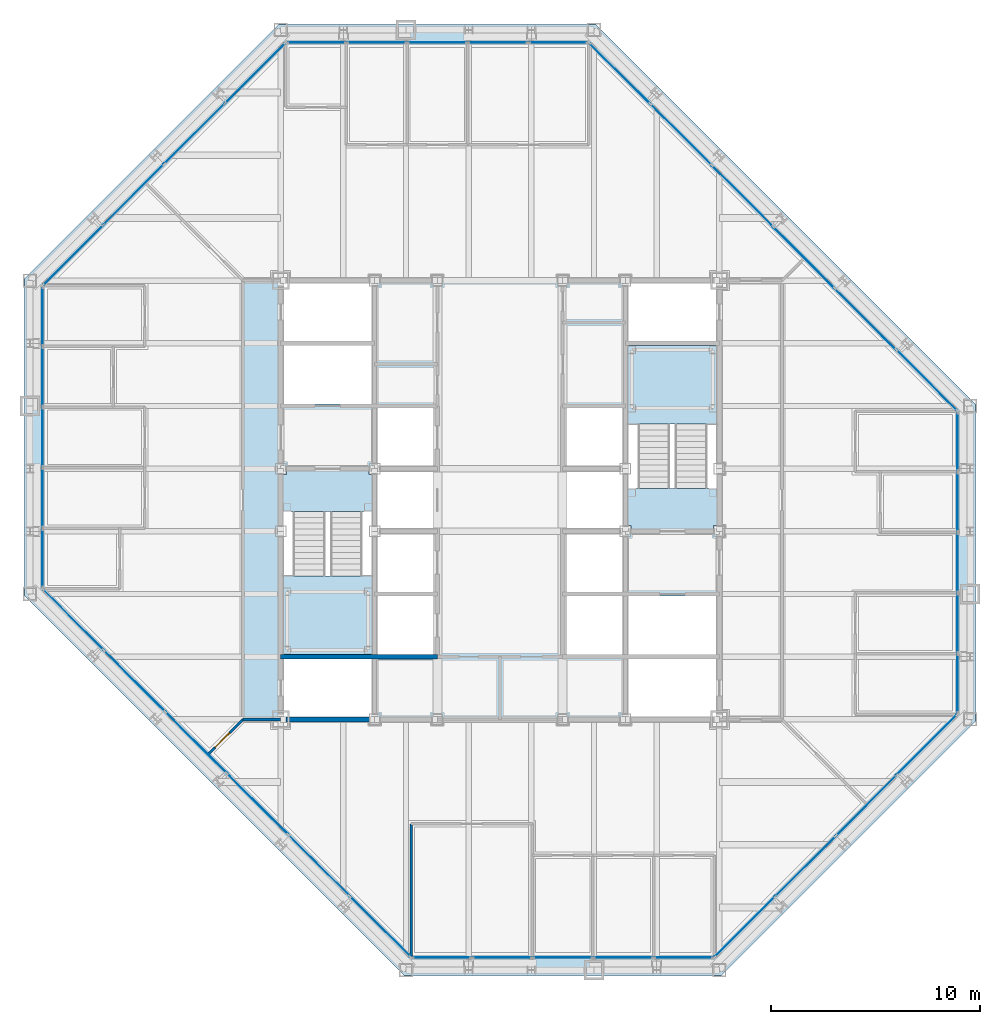
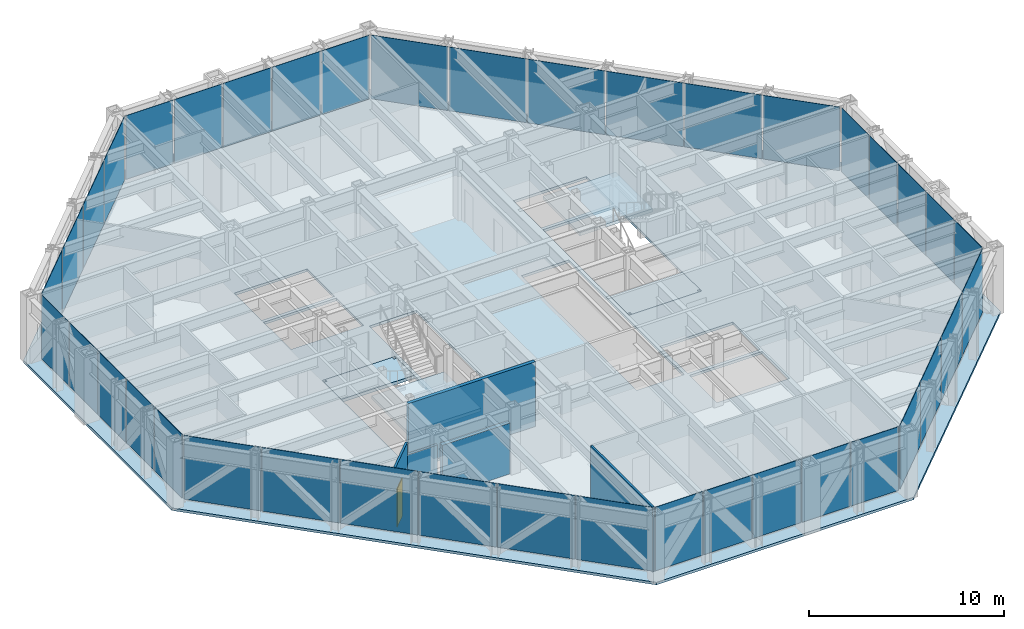
# One storey, part 10 of 16: 40 plates, 5 slabs, 5 walls, 1 door, 1 opening, 10 elements without a shape of their own.
"""IFC4 building model written with IfcOpenShell, lengths in metres."""

from ifc_helpers import new_model, si_unit, direction, frame, frame_2d, origin, origin_2d, place, context, subcontext, project, spatial, polyline, rectangle, outline, extrude, material, layer, layer_set, type_object, element, fill, aggregate, save


model = new_model("IFC4")

# Units and contexts
model_context = context("Model", 3, precision=1e-05, world=origin(), true_north=direction((0.0, 1.0)))
body_context = subcontext(model_context, "Body", "Model", "MODEL_VIEW")
ifc_project = project(units=[si_unit("LENGTHUNIT", "METRE"), si_unit("AREAUNIT", "SQUARE_METRE"), si_unit("VOLUMEUNIT", "CUBIC_METRE"), si_unit("PLANEANGLEUNIT", "RADIAN"), si_unit("MASSUNIT", "GRAM", prefix="KILO")], contexts=[model_context])

# Site, building, storey
site_placement = place(None, origin())
site = spatial("IfcSite", under=ifc_project, at=site_placement, CompositionType="ELEMENT")
building_placement = place(site_placement, origin())
building = spatial("IfcBuilding", under=site, at=building_placement, Name="Chuquiago Exchange Tower", CompositionType="ELEMENT")
storey_placement = place(building_placement, frame((0.0, 0.0, 226.5)))
storey = spatial("IfcBuildingStorey", under=building, at=storey_placement, Name="L50", CompositionType="ELEMENT", Elevation=226.5)

# Curtain wall, plate
ifc_material_1 = material(Name="Aluminium curtain wall system", Category="aluminium")
ifc_layer_1 = layer(ifc_material_1, 0.22509765625)
ifc_layer_set_1 = layer_set([ifc_layer_1], Name="CW2 office curtain wall")
curtain_wall_type_1 = type_object("IfcCurtainWallType", Name="CW2 office curtain wall", PredefinedType="NOTDEFINED", material=ifc_layer_set_1)
curtain_wall_1_placement = place(storey_placement, origin())
curtain_wall_1 = element("IfcCurtainWall", 1, at=curtain_wall_1_placement, inside=storey, type_object=curtain_wall_type_1, Name="CW2 curtain wall L50", PredefinedType="NOTDEFINED")
ifc_material_2 = material(Name="Glass, insulating unit", Category="glass")
ifc_layer_2 = layer(ifc_material_2, 0.030029296875)
ifc_layer_set_2 = layer_set([ifc_layer_2], Name="CW2-P panel 30")
plate_type_1 = type_object("IfcPlateType", Name="CW2-P panel 30", PredefinedType="CURTAIN_PANEL", material=ifc_layer_set_2)
plate_1_placement = place(storey_placement, frame((25.5, 0.60009765625, 0.06494140625), z_axis=(0.0, 0.0, 1.0), x_axis=(1.0, 0.0, 0.0)))
plate_1 = element("IfcPlate", 2, at=plate_1_placement, type_object=plate_type_1, Name="CW2 panel 3.1", PredefinedType="CURTAIN_PANEL", context=body_context, shape_type="SweptSolid", body=[
    extrude(rectangle(XDim=2.835693359375, YDim=0.030029296875, at=origin_2d()), origin(), (0.0, 0.0, 1.0), 3.97509765625),
])

curtain_wall_2_placement = place(storey_placement, origin())
curtain_wall_2 = element("IfcCurtainWall", 3, at=curtain_wall_2_placement, inside=storey, type_object=curtain_wall_type_1, Name="CW2 curtain wall L50", PredefinedType="NOTDEFINED")
plate_2_placement = place(storey_placement, frame((44.39990234375, 19.5, 0.06494140625), z_axis=(0.0, 0.0, 1.0), x_axis=(0.0, 1.0, 0.0)))
plate_2 = element("IfcPlate", 4, at=plate_2_placement, type_object=plate_type_1, Name="CW2 panel 3.1", PredefinedType="CURTAIN_PANEL", context=body_context, shape_type="SweptSolid", body=[
    extrude(rectangle(XDim=2.835693359375, YDim=0.030029296875, at=origin_2d()), origin(), (0.0, 0.0, 1.0), 3.97509765625),
])

curtain_wall_3_placement = place(storey_placement, origin())
curtain_wall_3 = element("IfcCurtainWall", 5, at=curtain_wall_3_placement, inside=storey, type_object=curtain_wall_type_1, Name="CW2 curtain wall L50", PredefinedType="NOTDEFINED")
plate_3_placement = place(storey_placement, frame((19.5, 44.39990234375, 0.06494140625), z_axis=(0.0, 0.0, 1.0), x_axis=(-1.0, 0.0, 0.0)))
plate_3 = element("IfcPlate", 6, at=plate_3_placement, type_object=plate_type_1, Name="CW2 panel 3.1", PredefinedType="CURTAIN_PANEL", context=body_context, shape_type="SweptSolid", body=[
    extrude(rectangle(XDim=2.835693359375, YDim=0.030029296875, at=origin_2d()), origin(), (0.0, 0.0, 1.0), 3.97509765625),
])

curtain_wall_4_placement = place(storey_placement, origin())
curtain_wall_4 = element("IfcCurtainWall", 7, at=curtain_wall_4_placement, inside=storey, type_object=curtain_wall_type_1, Name="CW2 curtain wall L50", PredefinedType="NOTDEFINED")
plate_4_placement = place(storey_placement, frame((0.60009765625, 25.5, 0.06494140625), z_axis=(0.0, 0.0, 1.0), x_axis=(0.0, -1.0, 0.0)))
plate_4 = element("IfcPlate", 8, at=plate_4_placement, type_object=plate_type_1, Name="CW2 panel 3.1", PredefinedType="CURTAIN_PANEL", context=body_context, shape_type="SweptSolid", body=[
    extrude(rectangle(XDim=2.835693359375, YDim=0.030029296875, at=origin_2d()), origin(), (0.0, 0.0, 1.0), 3.97509765625),
])

# Plate
ifc_material_3 = material(Name="Insulated spandrel panel, pale anodised aluminium", Category="aluminium")
ifc_layer_3 = layer(ifc_material_3, 0.030029296875)
ifc_layer_set_3 = layer_set([ifc_layer_3], Name="CW2-P spandrel panel 30")
plate_type_2 = type_object("IfcPlateType", Name="CW2-P spandrel panel 30", PredefinedType="CURTAIN_PANEL", material=ifc_layer_set_3)
plate_5_placement = place(storey_placement, frame((19.715087890625, 0.60009765625, 0.06494140625), z_axis=(0.0, 0.0, 1.0), x_axis=(1.0, 0.0, 0.0)))
plate_5 = element("IfcPlate", 9, at=plate_5_placement, type_object=plate_type_2, Name="CW2 panel 1.1", PredefinedType="CURTAIN_PANEL", context=body_context, shape_type="SweptSolid", body=[
    extrude(rectangle(XDim=2.802978515625, YDim=0.030029296875, at=origin_2d()), origin(), (0.0, 0.0, 1.0), 3.97509765625),
])

plate_6_placement = place(storey_placement, frame((22.599365234375, 0.60009765625, 0.06494140625), z_axis=(0.0, 0.0, 1.0), x_axis=(1.0, 0.0, 0.0)))
plate_6 = element("IfcPlate", 10, at=plate_6_placement, type_object=plate_type_2, Name="CW2 panel 2.1", PredefinedType="CURTAIN_PANEL", context=body_context, shape_type="SweptSolid", body=[
    extrude(rectangle(XDim=2.835693359375, YDim=0.030029296875, at=origin_2d()), origin(), (0.0, 0.0, 1.0), 3.97509765625),
])

plate_7_placement = place(storey_placement, frame((28.400634765625, 0.60009765625, 0.06494140625), z_axis=(0.0, 0.0, 1.0), x_axis=(1.0, 0.0, 0.0)))
plate_7 = element("IfcPlate", 11, at=plate_7_placement, type_object=plate_type_2, Name="CW2 panel 4.1", PredefinedType="CURTAIN_PANEL", context=body_context, shape_type="SweptSolid", body=[
    extrude(rectangle(XDim=2.835693359375, YDim=0.030029296875, at=origin_2d()), origin(), (0.0, 0.0, 1.0), 3.97509765625),
])

plate_8_placement = place(storey_placement, frame((31.284912109375, 0.60009765625, 0.06494140625), z_axis=(0.0, 0.0, 1.0), x_axis=(1.0, 0.0, 0.0)))
plate_8 = element("IfcPlate", 12, at=plate_8_placement, type_object=plate_type_2, Name="CW2 panel 5.1", PredefinedType="CURTAIN_PANEL", context=body_context, shape_type="SweptSolid", body=[
    extrude(rectangle(XDim=2.802978515625, YDim=0.030029296875, at=origin_2d()), origin(), (0.0, 0.0, 1.0), 3.97509765625),
])

aggregate(curtain_wall_1, [plate_5, plate_6, plate_1, plate_7, plate_8])

plate_9_placement = place(storey_placement, frame((44.39990234375, 13.715087890625, 0.06494140625), z_axis=(0.0, 0.0, 1.0), x_axis=(0.0, 1.0, 0.0)))
plate_9 = element("IfcPlate", 13, at=plate_9_placement, type_object=plate_type_2, Name="CW2 panel 1.1", PredefinedType="CURTAIN_PANEL", context=body_context, shape_type="SweptSolid", body=[
    extrude(rectangle(XDim=2.802978515625, YDim=0.030029296875, at=origin_2d()), origin(), (0.0, 0.0, 1.0), 3.97509765625),
])

plate_10_placement = place(storey_placement, frame((44.39990234375, 16.599365234375, 0.06494140625), z_axis=(0.0, 0.0, 1.0), x_axis=(0.0, 1.0, 0.0)))
plate_10 = element("IfcPlate", 14, at=plate_10_placement, type_object=plate_type_2, Name="CW2 panel 2.1", PredefinedType="CURTAIN_PANEL", context=body_context, shape_type="SweptSolid", body=[
    extrude(rectangle(XDim=2.835693359375, YDim=0.030029296875, at=origin_2d()), origin(), (0.0, 0.0, 1.0), 3.97509765625),
])

plate_11_placement = place(storey_placement, frame((44.39990234375, 22.400634765625, 0.06494140625), z_axis=(0.0, 0.0, 1.0), x_axis=(0.0, 1.0, 0.0)))
plate_11 = element("IfcPlate", 15, at=plate_11_placement, type_object=plate_type_2, Name="CW2 panel 4.1", PredefinedType="CURTAIN_PANEL", context=body_context, shape_type="SweptSolid", body=[
    extrude(rectangle(XDim=2.835693359375, YDim=0.030029296875, at=origin_2d()), origin(), (0.0, 0.0, 1.0), 3.97509765625),
])

plate_12_placement = place(storey_placement, frame((44.39990234375, 25.284912109375, 0.06494140625), z_axis=(0.0, 0.0, 1.0), x_axis=(0.0, 1.0, 0.0)))
plate_12 = element("IfcPlate", 16, at=plate_12_placement, type_object=plate_type_2, Name="CW2 panel 5.1", PredefinedType="CURTAIN_PANEL", context=body_context, shape_type="SweptSolid", body=[
    extrude(rectangle(XDim=2.802978515625, YDim=0.030029296875, at=origin_2d()), origin(), (0.0, 0.0, 1.0), 3.97509765625),
])

aggregate(curtain_wall_2, [plate_9, plate_10, plate_2, plate_11, plate_12])

plate_13_placement = place(storey_placement, frame((25.284912109375, 44.39990234375, 0.06494140625), z_axis=(0.0, 0.0, 1.0), x_axis=(-1.0, 0.0, 0.0)))
plate_13 = element("IfcPlate", 17, at=plate_13_placement, type_object=plate_type_2, Name="CW2 panel 1.1", PredefinedType="CURTAIN_PANEL", context=body_context, shape_type="SweptSolid", body=[
    extrude(rectangle(XDim=2.802978515625, YDim=0.030029296875, at=origin_2d()), origin(), (0.0, 0.0, 1.0), 3.97509765625),
])

plate_14_placement = place(storey_placement, frame((22.400634765625, 44.39990234375, 0.06494140625), z_axis=(0.0, 0.0, 1.0), x_axis=(-1.0, 0.0, 0.0)))
plate_14 = element("IfcPlate", 18, at=plate_14_placement, type_object=plate_type_2, Name="CW2 panel 2.1", PredefinedType="CURTAIN_PANEL", context=body_context, shape_type="SweptSolid", body=[
    extrude(rectangle(XDim=2.835693359375, YDim=0.030029296875, at=origin_2d()), origin(), (0.0, 0.0, 1.0), 3.97509765625),
])

plate_15_placement = place(storey_placement, frame((16.599365234375, 44.39990234375, 0.06494140625), z_axis=(0.0, 0.0, 1.0), x_axis=(-1.0, 0.0, 0.0)))
plate_15 = element("IfcPlate", 19, at=plate_15_placement, type_object=plate_type_2, Name="CW2 panel 4.1", PredefinedType="CURTAIN_PANEL", context=body_context, shape_type="SweptSolid", body=[
    extrude(rectangle(XDim=2.835693359375, YDim=0.030029296875, at=origin_2d()), origin(), (0.0, 0.0, 1.0), 3.97509765625),
])

plate_16_placement = place(storey_placement, frame((13.715087890625, 44.39990234375, 0.06494140625), z_axis=(0.0, 0.0, 1.0), x_axis=(-1.0, 0.0, 0.0)))
plate_16 = element("IfcPlate", 20, at=plate_16_placement, type_object=plate_type_2, Name="CW2 panel 5.1", PredefinedType="CURTAIN_PANEL", context=body_context, shape_type="SweptSolid", body=[
    extrude(rectangle(XDim=2.802978515625, YDim=0.030029296875, at=origin_2d()), origin(), (0.0, 0.0, 1.0), 3.97509765625),
])

aggregate(curtain_wall_3, [plate_13, plate_14, plate_3, plate_15, plate_16])

plate_17_placement = place(storey_placement, frame((0.60009765625, 31.284912109375, 0.06494140625), z_axis=(0.0, 0.0, 1.0), x_axis=(0.0, -1.0, 0.0)))
plate_17 = element("IfcPlate", 21, at=plate_17_placement, type_object=plate_type_2, Name="CW2 panel 1.1", PredefinedType="CURTAIN_PANEL", context=body_context, shape_type="SweptSolid", body=[
    extrude(rectangle(XDim=2.802978515625, YDim=0.030029296875, at=origin_2d()), origin(), (0.0, 0.0, 1.0), 3.97509765625),
])

plate_18_placement = place(storey_placement, frame((0.60009765625, 28.400634765625, 0.06494140625), z_axis=(0.0, 0.0, 1.0), x_axis=(0.0, -1.0, 0.0)))
plate_18 = element("IfcPlate", 22, at=plate_18_placement, type_object=plate_type_2, Name="CW2 panel 2.1", PredefinedType="CURTAIN_PANEL", context=body_context, shape_type="SweptSolid", body=[
    extrude(rectangle(XDim=2.835693359375, YDim=0.030029296875, at=origin_2d()), origin(), (0.0, 0.0, 1.0), 3.97509765625),
])

plate_19_placement = place(storey_placement, frame((0.60009765625, 22.599365234375, 0.06494140625), z_axis=(0.0, 0.0, 1.0), x_axis=(0.0, -1.0, 0.0)))
plate_19 = element("IfcPlate", 23, at=plate_19_placement, type_object=plate_type_2, Name="CW2 panel 4.1", PredefinedType="CURTAIN_PANEL", context=body_context, shape_type="SweptSolid", body=[
    extrude(rectangle(XDim=2.835693359375, YDim=0.030029296875, at=origin_2d()), origin(), (0.0, 0.0, 1.0), 3.97509765625),
])

plate_20_placement = place(storey_placement, frame((0.60009765625, 19.715087890625, 0.06494140625), z_axis=(0.0, 0.0, 1.0), x_axis=(0.0, -1.0, 0.0)))
plate_20 = element("IfcPlate", 24, at=plate_20_placement, type_object=plate_type_2, Name="CW2 panel 5.1", PredefinedType="CURTAIN_PANEL", context=body_context, shape_type="SweptSolid", body=[
    extrude(rectangle(XDim=2.802978515625, YDim=0.030029296875, at=origin_2d()), origin(), (0.0, 0.0, 1.0), 3.97509765625),
])

aggregate(curtain_wall_4, [plate_17, plate_18, plate_4, plate_19, plate_20])

# Curtain wall, plates
ifc_material_4 = material(Name="Aluminium curtain wall system", Category="aluminium")
ifc_layer_4 = layer(ifc_material_4, 0.199951171875)
ifc_layer_set_4 = layer_set([ifc_layer_4], Name="CW3 facet curtain wall")
curtain_wall_type_2 = type_object("IfcCurtainWallType", Name="CW3 facet curtain wall", PredefinedType="NOTDEFINED", material=ifc_layer_set_4)
curtain_wall_5_placement = place(storey_placement, origin())
curtain_wall_5 = element("IfcCurtainWall", 25, at=curtain_wall_5_placement, inside=storey, type_object=curtain_wall_type_2, Name="CW3 curtain wall L50", PredefinedType="NOTDEFINED")
ifc_material_5 = material(Name="Insulated spandrel panel, pale anodised aluminium", Category="aluminium")
ifc_layer_5 = layer(ifc_material_5, 0.030029296875)
ifc_layer_set_5 = layer_set([ifc_layer_5], Name="CW3-P spandrel panel 30")
plate_type_3 = type_object("IfcPlateType", Name="CW3-P spandrel panel 30", PredefinedType="CURTAIN_PANEL", material=ifc_layer_set_5)
plate_21_placement = place(storey_placement, frame((34.218994140625, 2.067626953125, 0.06494140625), z_axis=(0.0, 0.0, 1.0), x_axis=(0.707106781187, 0.707106781187, 0.0)))
plate_21 = element("IfcPlate", 26, at=plate_21_placement, type_object=plate_type_3, Name="CW3 panel 1.1", PredefinedType="CURTAIN_PANEL", context=body_context, shape_type="SweptSolid", body=[
    extrude(rectangle(XDim=4.020751953125, YDim=0.030029296875, at=origin_2d()), origin(), (0.0, 0.0, 1.0), 3.97509765625),
])
plate_22_placement = place(storey_placement, frame((37.11962890625, 4.96826171875, 0.06494140625), z_axis=(0.0, 0.0, 1.0), x_axis=(0.707106781187, 0.707106781187, 0.0)))
plate_22 = element("IfcPlate", 27, at=plate_22_placement, type_object=plate_type_3, Name="CW3 panel 2.1", PredefinedType="CURTAIN_PANEL", context=body_context, shape_type="SweptSolid", body=[
    extrude(rectangle(XDim=4.053466796875, YDim=0.030029296875, at=origin_2d()), origin(), (0.0, 0.0, 1.0), 3.97509765625),
])
plate_23_placement = place(storey_placement, frame((40.03173828125, 7.88037109375, 0.06494140625), z_axis=(0.0, 0.0, 1.0), x_axis=(0.707106781187, 0.707106781187, 0.0)))
plate_23 = element("IfcPlate", 28, at=plate_23_placement, type_object=plate_type_3, Name="CW3 panel 3.1", PredefinedType="CURTAIN_PANEL", context=body_context, shape_type="SweptSolid", body=[
    extrude(rectangle(XDim=4.053466796875, YDim=0.030029296875, at=origin_2d()), origin(), (0.0, 0.0, 1.0), 3.97509765625),
])
plate_24_placement = place(storey_placement, frame((42.932373046875, 10.781005859375, 0.06494140625), z_axis=(0.0, 0.0, 1.0), x_axis=(0.707106781187, 0.707106781187, 0.0)))
plate_24 = element("IfcPlate", 29, at=plate_24_placement, type_object=plate_type_3, Name="CW3 panel 4.1", PredefinedType="CURTAIN_PANEL", context=body_context, shape_type="SweptSolid", body=[
    extrude(rectangle(XDim=4.020751953125, YDim=0.030029296875, at=origin_2d()), origin(), (0.0, 0.0, 1.0), 3.97509765625),
])
aggregate(curtain_wall_5, [plate_21, plate_22, plate_23, plate_24])

curtain_wall_6_placement = place(storey_placement, origin())
curtain_wall_6 = element("IfcCurtainWall", 30, at=curtain_wall_6_placement, inside=storey, type_object=curtain_wall_type_2, Name="CW3 curtain wall L50", PredefinedType="NOTDEFINED")
plate_25_placement = place(storey_placement, frame((42.917724609375, 28.233642578125, 0.06494140625), z_axis=(0.0, 0.0, 1.0), x_axis=(-0.707106781187, 0.707106781187, 0.0)))
plate_25 = element("IfcPlate", 31, at=plate_25_placement, type_object=plate_type_3, Name="CW3 panel 1.1", PredefinedType="CURTAIN_PANEL", context=body_context, shape_type="SweptSolid", body=[
    extrude(rectangle(XDim=4.062255859375, YDim=0.030029296875, at=origin_2d()), origin(), (0.0, 0.0, 1.0), 3.97509765625),
])
plate_26_placement = place(storey_placement, frame((39.98779296875, 31.16357421875, 0.06494140625), z_axis=(0.0, 0.0, 1.0), x_axis=(-0.707106781187, 0.707106781187, 0.0)))
plate_26 = element("IfcPlate", 32, at=plate_26_placement, type_object=plate_type_3, Name="CW3 panel 2.1", PredefinedType="CURTAIN_PANEL", context=body_context, shape_type="SweptSolid", body=[
    extrude(rectangle(XDim=4.0947265625, YDim=0.030029296875, at=origin_2d()), origin(), (0.0, 0.0, 1.0), 3.97509765625),
])
plate_27_placement = place(storey_placement, frame((37.04638671875, 34.10498046875, 0.06494140625), z_axis=(0.0, 0.0, 1.0), x_axis=(-0.707106781187, 0.707106781187, 0.0)))
plate_27 = element("IfcPlate", 33, at=plate_27_placement, type_object=plate_type_3, Name="CW3 panel 3.1", PredefinedType="CURTAIN_PANEL", context=body_context, shape_type="SweptSolid", body=[
    extrude(rectangle(XDim=4.0947265625, YDim=0.030029296875, at=origin_2d()), origin(), (0.0, 0.0, 1.0), 3.97509765625),
])
plate_28_placement = place(storey_placement, frame((34.10498046875, 37.04638671875, 0.06494140625), z_axis=(0.0, 0.0, 1.0), x_axis=(-0.707106781187, 0.707106781187, 0.0)))
plate_28 = element("IfcPlate", 34, at=plate_28_placement, type_object=plate_type_3, Name="CW3 panel 4.1", PredefinedType="CURTAIN_PANEL", context=body_context, shape_type="SweptSolid", body=[
    extrude(rectangle(XDim=4.0947265625, YDim=0.030029296875, at=origin_2d()), origin(), (0.0, 0.0, 1.0), 3.97509765625),
])
plate_29_placement = place(storey_placement, frame((31.16357421875, 39.98779296875, 0.06494140625), z_axis=(0.0, 0.0, 1.0), x_axis=(-0.707106781187, 0.707106781187, 0.0)))
plate_29 = element("IfcPlate", 35, at=plate_29_placement, type_object=plate_type_3, Name="CW3 panel 5.1", PredefinedType="CURTAIN_PANEL", context=body_context, shape_type="SweptSolid", body=[
    extrude(rectangle(XDim=4.0947265625, YDim=0.030029296875, at=origin_2d()), origin(), (0.0, 0.0, 1.0), 3.97509765625),
])
plate_30_placement = place(storey_placement, frame((28.233642578125, 42.917724609375, 0.06494140625), z_axis=(0.0, 0.0, 1.0), x_axis=(-0.707106781187, 0.707106781187, 0.0)))
plate_30 = element("IfcPlate", 36, at=plate_30_placement, type_object=plate_type_3, Name="CW3 panel 6.1", PredefinedType="CURTAIN_PANEL", context=body_context, shape_type="SweptSolid", body=[
    extrude(rectangle(XDim=4.062255859375, YDim=0.030029296875, at=origin_2d()), origin(), (0.0, 0.0, 1.0), 3.97509765625),
])
aggregate(curtain_wall_6, [plate_25, plate_26, plate_27, plate_28, plate_29, plate_30])

curtain_wall_7_placement = place(storey_placement, origin())
curtain_wall_7 = element("IfcCurtainWall", 37, at=curtain_wall_7_placement, inside=storey, type_object=curtain_wall_type_2, Name="CW3 curtain wall L50", PredefinedType="NOTDEFINED")
plate_31_placement = place(storey_placement, frame((10.781005859375, 42.932373046875, 0.06494140625), z_axis=(0.0, 0.0, 1.0), x_axis=(-0.707106781187, -0.707106781187, 0.0)))
plate_31 = element("IfcPlate", 38, at=plate_31_placement, type_object=plate_type_3, Name="CW3 panel 1.1", PredefinedType="CURTAIN_PANEL", context=body_context, shape_type="SweptSolid", body=[
    extrude(rectangle(XDim=4.020751953125, YDim=0.030029296875, at=origin_2d()), origin(), (0.0, 0.0, 1.0), 3.97509765625),
])
plate_32_placement = place(storey_placement, frame((7.88037109375, 40.03173828125, 0.06494140625), z_axis=(0.0, 0.0, 1.0), x_axis=(-0.707106781187, -0.707106781187, 0.0)))
plate_32 = element("IfcPlate", 39, at=plate_32_placement, type_object=plate_type_3, Name="CW3 panel 2.1", PredefinedType="CURTAIN_PANEL", context=body_context, shape_type="SweptSolid", body=[
    extrude(rectangle(XDim=4.053466796875, YDim=0.030029296875, at=origin_2d()), origin(), (0.0, 0.0, 1.0), 3.97509765625),
])
plate_33_placement = place(storey_placement, frame((4.96826171875, 37.11962890625, 0.06494140625), z_axis=(0.0, 0.0, 1.0), x_axis=(-0.707106781187, -0.707106781187, 0.0)))
plate_33 = element("IfcPlate", 40, at=plate_33_placement, type_object=plate_type_3, Name="CW3 panel 3.1", PredefinedType="CURTAIN_PANEL", context=body_context, shape_type="SweptSolid", body=[
    extrude(rectangle(XDim=4.053466796875, YDim=0.030029296875, at=origin_2d()), origin(), (0.0, 0.0, 1.0), 3.97509765625),
])
plate_34_placement = place(storey_placement, frame((2.067626953125, 34.218994140625, 0.06494140625), z_axis=(0.0, 0.0, 1.0), x_axis=(-0.707106781187, -0.707106781187, 0.0)))
plate_34 = element("IfcPlate", 41, at=plate_34_placement, type_object=plate_type_3, Name="CW3 panel 4.1", PredefinedType="CURTAIN_PANEL", context=body_context, shape_type="SweptSolid", body=[
    extrude(rectangle(XDim=4.020751953125, YDim=0.030029296875, at=origin_2d()), origin(), (0.0, 0.0, 1.0), 3.97509765625),
])
aggregate(curtain_wall_7, [plate_31, plate_32, plate_33, plate_34])

curtain_wall_8_placement = place(storey_placement, origin())
curtain_wall_8 = element("IfcCurtainWall", 42, at=curtain_wall_8_placement, inside=storey, type_object=curtain_wall_type_2, Name="CW3 curtain wall L50", PredefinedType="NOTDEFINED")
plate_35_placement = place(storey_placement, frame((2.082275390625, 16.766357421875, 0.06494140625), z_axis=(0.0, 0.0, 1.0), x_axis=(0.707106781187, -0.707106781187, 0.0)))
plate_35 = element("IfcPlate", 43, at=plate_35_placement, type_object=plate_type_3, Name="CW3 panel 1.1", PredefinedType="CURTAIN_PANEL", context=body_context, shape_type="SweptSolid", body=[
    extrude(rectangle(XDim=4.062255859375, YDim=0.030029296875, at=origin_2d()), origin(), (0.0, 0.0, 1.0), 3.97509765625),
])
plate_36_placement = place(storey_placement, frame((5.01220703125, 13.83642578125, 0.06494140625), z_axis=(0.0, 0.0, 1.0), x_axis=(0.707106781187, -0.707106781187, 0.0)))
plate_36 = element("IfcPlate", 44, at=plate_36_placement, type_object=plate_type_3, Name="CW3 panel 2.1", PredefinedType="CURTAIN_PANEL", context=body_context, shape_type="SweptSolid", body=[
    extrude(rectangle(XDim=4.0947265625, YDim=0.030029296875, at=origin_2d()), origin(), (0.0, 0.0, 1.0), 3.97509765625),
])
plate_37_placement = place(storey_placement, frame((7.95361328125, 10.89501953125, 0.06494140625), z_axis=(0.0, 0.0, 1.0), x_axis=(0.707106781187, -0.707106781187, 0.0)))
plate_37 = element("IfcPlate", 45, at=plate_37_placement, type_object=plate_type_3, Name="CW3 panel 3.1", PredefinedType="CURTAIN_PANEL", context=body_context, shape_type="SweptSolid", body=[
    extrude(rectangle(XDim=4.0947265625, YDim=0.030029296875, at=origin_2d()), origin(), (0.0, 0.0, 1.0), 3.97509765625),
])
plate_38_placement = place(storey_placement, frame((10.89501953125, 7.95361328125, 0.06494140625), z_axis=(0.0, 0.0, 1.0), x_axis=(0.707106781187, -0.707106781187, 0.0)))
plate_38 = element("IfcPlate", 46, at=plate_38_placement, type_object=plate_type_3, Name="CW3 panel 4.1", PredefinedType="CURTAIN_PANEL", context=body_context, shape_type="SweptSolid", body=[
    extrude(rectangle(XDim=4.0947265625, YDim=0.030029296875, at=origin_2d()), origin(), (0.0, 0.0, 1.0), 3.97509765625),
])
plate_39_placement = place(storey_placement, frame((13.83642578125, 5.01220703125, 0.06494140625), z_axis=(0.0, 0.0, 1.0), x_axis=(0.707106781187, -0.707106781187, 0.0)))
plate_39 = element("IfcPlate", 47, at=plate_39_placement, type_object=plate_type_3, Name="CW3 panel 5.1", PredefinedType="CURTAIN_PANEL", context=body_context, shape_type="SweptSolid", body=[
    extrude(rectangle(XDim=4.0947265625, YDim=0.030029296875, at=origin_2d()), origin(), (0.0, 0.0, 1.0), 3.97509765625),
])
plate_40_placement = place(storey_placement, frame((16.766357421875, 2.082275390625, 0.06494140625), z_axis=(0.0, 0.0, 1.0), x_axis=(0.707106781187, -0.707106781187, 0.0)))
plate_40 = element("IfcPlate", 48, at=plate_40_placement, type_object=plate_type_3, Name="CW3 panel 6.1", PredefinedType="CURTAIN_PANEL", context=body_context, shape_type="SweptSolid", body=[
    extrude(rectangle(XDim=4.062255859375, YDim=0.030029296875, at=origin_2d()), origin(), (0.0, 0.0, 1.0), 3.97509765625),
])
aggregate(curtain_wall_8, [plate_35, plate_36, plate_37, plate_38, plate_39, plate_40])

# Slab
ifc_material_6 = material(Name="Concrete C30/37", Category="concrete")
ifc_layer_6 = layer(ifc_material_6, 0.159912109375)
ifc_layer_set_6 = layer_set([ifc_layer_6], Name="FS1 composite floor 160")
slab_type_1 = type_object("IfcSlabType", Name="FS1 composite floor 160", PredefinedType="FLOOR", material=ifc_layer_set_6)
slab_1_placement = place(storey_placement, frame((0.0, 0.0, -0.159912109375)))
element("IfcSlab", 49, at=slab_1_placement, inside=storey, type_object=slab_type_1, Name="L50 floor slab", PredefinedType="FLOOR", context=body_context, shape_type="SweptSolid", body=[
    extrude(outline(polyline([(17.896484375, -0.25), (-0.25, 17.896484375), (-0.25, 33.103515625), (11.896484375, 45.25), (27.103515625, 45.25), (45.25, 27.103515625), (45.25, 11.896484375), (33.103515625, -0.25), (17.896484375, -0.25)]), holes=[polyline([(16.39990234375, 15.10009765625), (12.10009765625, 15.10009765625), (12.10009765625, 23.89990234375), (16.39990234375, 23.89990234375), (16.39990234375, 15.10009765625)]), polyline([(32.89990234375, 21.10009765625), (28.60009765625, 21.10009765625), (28.60009765625, 29.89990234375), (32.89990234375, 29.89990234375), (32.89990234375, 21.10009765625)]), polyline([(16.39990234375, 12.10009765625), (12.10009765625, 12.10009765625), (12.10009765625, 14.89990234375), (16.39990234375, 14.89990234375), (16.39990234375, 12.10009765625)]), polyline([(16.39990234375, 30.10009765625), (12.10009765625, 30.10009765625), (12.10009765625, 32.89990234375), (16.39990234375, 32.89990234375), (16.39990234375, 30.10009765625)]), polyline([(32.89990234375, 12.10009765625), (28.60009765625, 12.10009765625), (28.60009765625, 14.89990234375), (32.89990234375, 14.89990234375), (32.89990234375, 12.10009765625)]), polyline([(32.89990234375, 30.10009765625), (28.60009765625, 30.10009765625), (28.60009765625, 32.89990234375), (32.89990234375, 32.89990234375), (32.89990234375, 30.10009765625)]), polyline([(16.39990234375, 27.10009765625), (12.10009765625, 27.10009765625), (12.10009765625, 29.89990234375), (16.39990234375, 29.89990234375), (16.39990234375, 27.10009765625)]), polyline([(32.89990234375, 15.10009765625), (28.60009765625, 15.10009765625), (28.60009765625, 17.89990234375), (32.89990234375, 17.89990234375), (32.89990234375, 15.10009765625)]), polyline([(19.39990234375, 15.10009765625), (16.60009765625, 15.10009765625), (16.60009765625, 26.89990234375), (19.39990234375, 26.89990234375), (19.39990234375, 15.10009765625)]), polyline([(28.39990234375, 15.10009765625), (25.60009765625, 15.10009765625), (25.60009765625, 26.89990234375), (28.39990234375, 26.89990234375), (28.39990234375, 15.10009765625)])]), origin(), (0.0, 0.0, 1.0), 0.159912109375),
])

# Stair, slabs
ifc_material_7 = material(Name="Concrete C30/37, precast", Category="concrete")
stair_type_1 = type_object("IfcStairType", Name="ST1 half-turn stair 4200", PredefinedType="HALF_TURN_STAIR", material=ifc_material_7)
stair_1_placement = place(storey_placement, origin())
stair_1 = element("IfcStair", 50, at=stair_1_placement, inside=storey, type_object=stair_type_1, Name="Stair ST1 L50", PredefinedType="HALF_TURN_STAIR")
ifc_material_8 = material(Name="Concrete C30/37, precast", Category="concrete")
ifc_layer_7 = layer(ifc_material_8, 0.199951171875)
ifc_layer_set_7 = layer_set([ifc_layer_7], Name="ST-L landing 200")
slab_type_2 = type_object("IfcSlabType", Name="ST-L landing 200", PredefinedType="LANDING", material=ifc_layer_set_7)
slab_2_placement = place(storey_placement, frame((0.0, 0.0, -0.199951171875)))
slab_2 = element("IfcSlab", 51, at=slab_2_placement, type_object=slab_type_2, Name="ST1 landing 1", PredefinedType="LANDING", context=body_context, shape_type="SweptSolid", body=[
    extrude(outline(polyline([(12.27490234375, 23.89990234375), (16.22509765625, 23.89990234375), (16.22509765625, 23.72509765625), (16.39990234375, 23.72509765625), (16.39990234375, 21.949951171875), (12.10009765625, 21.949951171875), (12.10009765625, 23.72509765625), (12.27490234375, 23.72509765625), (12.27490234375, 23.89990234375)])), origin(), (0.0, 0.0, 1.0), 0.199951171875),
])
slab_3_placement = place(storey_placement, frame((0.0, 0.0, 1.89990234375)))
slab_3 = element("IfcSlab", 52, at=slab_3_placement, type_object=slab_type_2, Name="ST1 landing 2", PredefinedType="LANDING", context=body_context, shape_type="SweptSolid", body=[
    extrude(outline(polyline([(12.10009765625, 18.8701171875), (16.39990234375, 18.8701171875), (16.39990234375, 15.10009765625), (12.10009765625, 15.10009765625), (12.10009765625, 18.8701171875)])), origin(), (0.0, 0.0, 1.0), 0.2001953125),
])
aggregate(stair_1, [slab_2, slab_3])

ifc_material_9 = material(Name="Concrete C30/37, precast", Category="concrete")
stair_type_2 = type_object("IfcStairType", Name="ST2 half-turn stair 4200", PredefinedType="HALF_TURN_STAIR", material=ifc_material_9)
stair_2_placement = place(storey_placement, origin())
stair_2 = element("IfcStair", 53, at=stair_2_placement, inside=storey, type_object=stair_type_2, Name="Stair ST2 L50", PredefinedType="HALF_TURN_STAIR")
slab_4_placement = place(storey_placement, frame((0.0, 0.0, -0.199951171875)))
slab_4 = element("IfcSlab", 54, at=slab_4_placement, type_object=slab_type_2, Name="ST2 landing 1", PredefinedType="LANDING", context=body_context, shape_type="SweptSolid", body=[
    extrude(outline(polyline([(32.72509765625, 21.27490234375), (32.72509765625, 21.10009765625), (28.77490234375, 21.10009765625), (28.77490234375, 21.27490234375), (28.60009765625, 21.27490234375), (28.60009765625, 23.050048828125), (32.89990234375, 23.050048828125), (32.89990234375, 21.27490234375), (32.72509765625, 21.27490234375)])), origin(), (0.0, 0.0, 1.0), 0.199951171875),
])
slab_5_placement = place(storey_placement, frame((0.0, 0.0, 1.89990234375)))
slab_5 = element("IfcSlab", 55, at=slab_5_placement, type_object=slab_type_2, Name="ST2 landing 2", PredefinedType="LANDING", context=body_context, shape_type="SweptSolid", body=[
    extrude(outline(polyline([(28.60009765625, 29.89990234375), (32.89990234375, 29.89990234375), (32.89990234375, 26.1298828125), (28.60009765625, 26.1298828125), (28.60009765625, 29.89990234375)])), origin(), (0.0, 0.0, 1.0), 0.2001953125),
])
aggregate(stair_2, [slab_4, slab_5])

# Walls
ifc_material_10 = material(Name="Concrete masonry, fully grouted", Category="masonry")
ifc_layer_8 = layer(ifc_material_10, 0.25)
ifc_layer_set_8 = layer_set([ifc_layer_8], Name="W1 core wall 250")
wall_type_1 = type_object("IfcWallType", Name="W1 core wall 250", PredefinedType="SOLIDWALL", material=ifc_layer_set_8)
wall_1_placement = place(storey_placement, frame((12.25, 12.0, 0.0), z_axis=(0.0, 0.0, 1.0), x_axis=(1.0, 0.0, 0.0)))
element("IfcWall", 56, at=wall_1_placement, inside=storey, type_object=wall_type_1, Name="CW-L50-01-0", PredefinedType="SOLIDWALL", context=body_context, shape_type="SweptSolid", body=[
    extrude(rectangle(XDim=4.0, YDim=0.25, at=frame_2d((2.0, 0.0))), origin(), (0.0, 0.0, 1.0), 3.181396484375),
])
ifc_material_11 = material(Name="Gypsum board on steel studs, acoustic insulation", Category="steel")
ifc_layer_9 = layer(ifc_material_11, 0.14990234375)
ifc_layer_set_9 = layer_set([ifc_layer_9], Name="W11 corridor wall 150")
wall_type_2 = type_object("IfcWallType", Name="W11 corridor wall 150", PredefinedType="PARTITIONING", material=ifc_layer_set_9)
wall_2_placement = place(storey_placement, frame((10.199951171875, 12.0, 0.0), z_axis=(0.0, 0.0, 1.0), x_axis=(1.0, 0.0, 0.0)))
element("IfcWall", 57, at=wall_2_placement, inside=storey, type_object=wall_type_2, Name="PW-L50-GWS0", PredefinedType="PARTITIONING", context=body_context, shape_type="SweptSolid", body=[
    extrude(rectangle(XDim=1.800048828125, YDim=0.14990234375, at=frame_2d((0.89990234375, 0.0))), origin(), (0.0, 0.0, 1.0), 3.2705078125),
])
ifc_material_12 = material(Name="Concrete masonry, fully grouted", Category="masonry")
ifc_layer_10 = layer(ifc_material_12, 0.199951171875)
ifc_layer_set_10 = layer_set([ifc_layer_10], Name="W2 shaft wall 200")
wall_type_3 = type_object("IfcWallType", Name="W2 shaft wall 200", PredefinedType="SOLIDWALL", material=ifc_layer_set_10)
wall_3_placement = place(storey_placement, frame((12.0, 15.0, 0.0), z_axis=(0.0, 0.0, 1.0), x_axis=(1.0, 0.0, 0.0)))
element("IfcWall", 58, at=wall_3_placement, inside=storey, type_object=wall_type_3, Name="CW-L50-03-0", PredefinedType="SOLIDWALL", context=body_context, shape_type="SweptSolid", body=[
    extrude(rectangle(XDim=7.5, YDim=0.199951171875, at=frame_2d((3.75, 0.0))), origin(), (0.0, 0.0, 1.0), 4.0400390625),
])
ifc_material_13 = material(Name="Gypsum board on steel studs", Category="steel")
ifc_layer_11 = layer(ifc_material_13, 0.1201171875)
ifc_layer_set_11 = layer_set([ifc_layer_11], Name="W4 partition 120")
wall_type_4 = type_object("IfcWallType", Name="W4 partition 120", PredefinedType="PARTITIONING", material=ifc_layer_set_11)
wall_4_placement = place(storey_placement, frame((18.24853515625, 0.666015625, 0.0), z_axis=(0.0, 0.0, 1.0), x_axis=(0.0, 1.0, 0.0)))
element("IfcWall", 59, at=wall_4_placement, inside=storey, type_object=wall_type_4, Name="PW-L50-S01825", PredefinedType="PARTITIONING", context=body_context, shape_type="SweptSolid", body=[
    extrude(rectangle(XDim=6.333984375, YDim=0.1201171875, at=frame_2d((3.1669921875, 0.0))), origin(), (0.0, 0.0, 1.0), 4.0400390625),
])

# Wall, opening, door
wall_5_placement = place(storey_placement, frame((10.199951171875, 12.0, 0.0), z_axis=(0.0, 0.0, 1.0), x_axis=(-0.707106781187, -0.707106781187, 0.0)))
wall_5 = element("IfcWall", 60, at=wall_5_placement, inside=storey, type_object=wall_type_4, Name="PW-L50-QSW", PredefinedType="PARTITIONING", context=body_context, shape_type="SweptSolid", body=[
    extrude(rectangle(XDim=2.337890625, YDim=0.1201171875, at=frame_2d((1.1689453125, 0.0))), origin(), (0.0, 0.0, 1.0), 4.0400390625),
])
opening_placement = place(wall_5_placement, frame((0.89990234375, 0.0, 0.0)))
opening = element("IfcOpeningElement", 61, at=opening_placement, cuts=wall_5, Name="Opening L50-043", PredefinedType="OPENING", context=body_context, shape_type="SweptSolid", body=[
    extrude(rectangle(XDim=1.0, YDim=2.39990234375, at=frame_2d((0.5, 1.199951171875))), frame((0.0, 0.070068359375, 0.0), z_axis=(0.0, -1.0, 0.0), x_axis=(1.0, 0.0, 0.0)), (0.0, 0.0, 1.0), 0.14013671875),
])
ifc_material_14 = material(Name="Timber door, laminate faced", Category="wood")
door_type = type_object("IfcDoorType", Name="D9 room door 1000x2400", OperationType="SINGLE_SWING_LEFT", PredefinedType="DOOR", material=ifc_material_14)
door_placement = place(opening_placement, frame((1.0, 0.0, 0.0), z_axis=(0.0, 0.0, 1.0), x_axis=(-1.0, 0.0, 0.0)))
door = element("IfcDoor", 62, at=door_placement, inside=storey, type_object=door_type, Name="Team area door", OperationType="SINGLE_SWING_LEFT", OverallHeight=2.39990234375, OverallWidth=1.0, PredefinedType="DOOR", context=body_context, shape_type="SweptSolid", body=[
    extrude(rectangle(XDim=1.0, YDim=2.39990234375, at=frame_2d((0.5, 1.199951171875))), frame((0.0, 0.02490234375, 0.0), z_axis=(0.0, -1.0, 0.0), x_axis=(1.0, 0.0, 0.0)), (0.0, 0.0, 1.0), 0.050048828125),
])
fill(opening, door)

save(model, "model.ifc")
